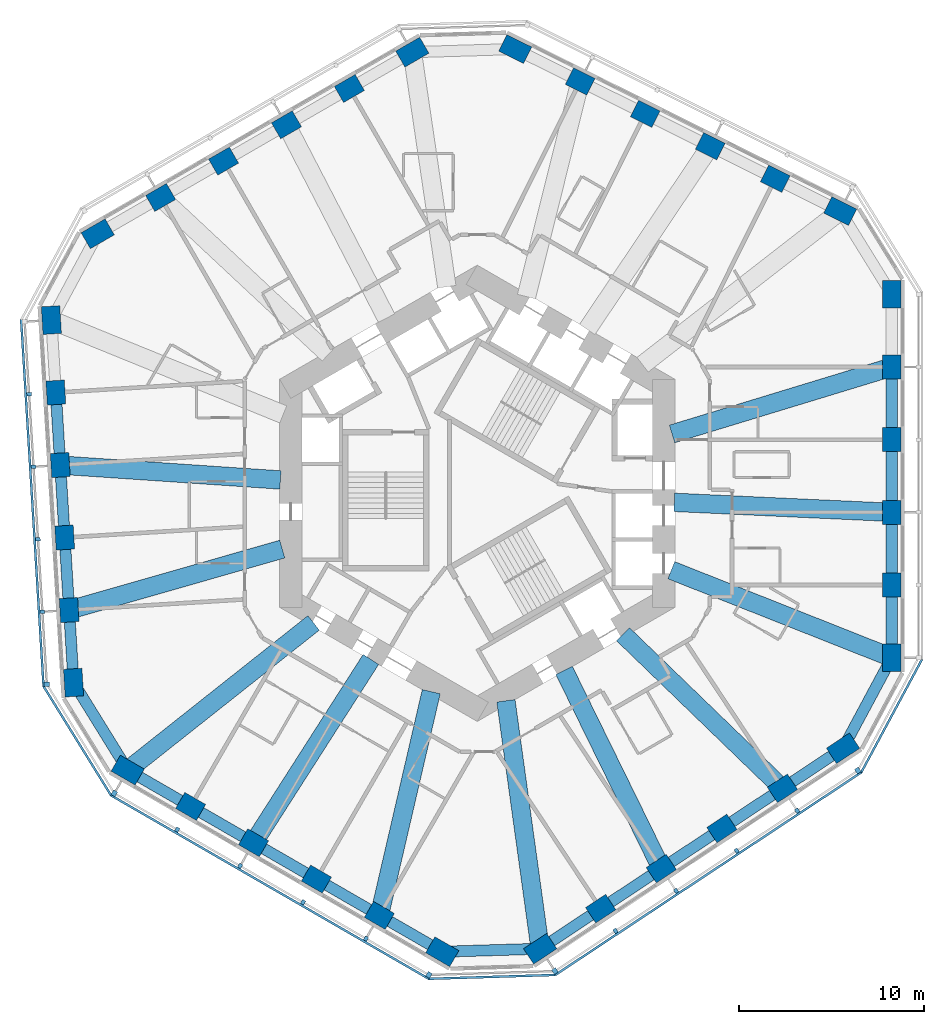
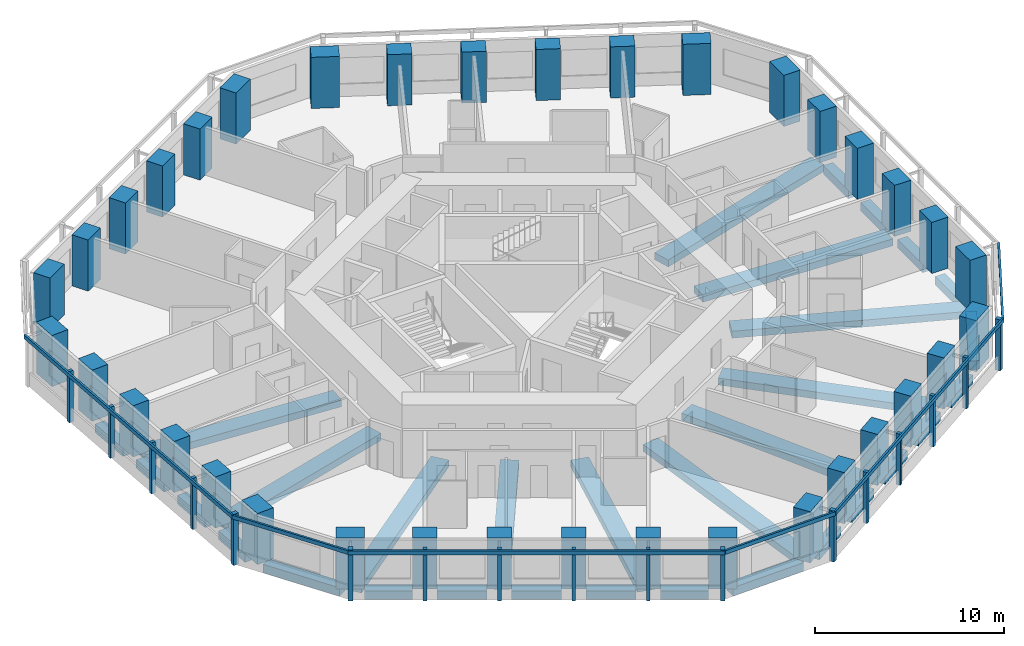
# One storey, part 1 of 12: 36 columns, 32 beams, 23 members, 6 elements without a shape of their own.
"""IFC4 building model written with IfcOpenShell, lengths in metres."""

from ifc_helpers import new_model, si_unit, direction, frame, origin, origin_2d, place, context, subcontext, project, spatial, rectangle, extrude, material, material_profile, profile_set, type_object, element, aggregate, save


model = new_model("IFC4")

# Units and contexts
model_context = context("Model", 3, precision=1e-05, world=origin(), true_north=direction((0.0, 1.0)))
body_context = subcontext(model_context, "Body", "Model", "MODEL_VIEW")
ifc_project = project(units=[si_unit("LENGTHUNIT", "METRE"), si_unit("AREAUNIT", "SQUARE_METRE"), si_unit("VOLUMEUNIT", "CUBIC_METRE"), si_unit("PLANEANGLEUNIT", "RADIAN"), si_unit("MASSUNIT", "GRAM", prefix="KILO")], contexts=[model_context])

# Site, building, storey
site_placement = place(None, origin())
site = spatial("IfcSite", under=ifc_project, at=site_placement, CompositionType="ELEMENT")
building_placement = place(site_placement, origin())
building = spatial("IfcBuilding", under=site, at=building_placement, Name="Vanh Sen Convention Tower", CompositionType="ELEMENT")
storey_placement = place(building_placement, frame((0.0, 0.0, 60.5)))
storey = spatial("IfcBuildingStorey", under=building, at=storey_placement, Name="L12", CompositionType="ELEMENT", Elevation=60.5)

# Columns
ifc_material_1 = material(Name="Concrete C80/95", Category="concrete")
ifc_material_profile_1 = material_profile(ifc_material_1, rectangle(XDim=1.300048828125, YDim=1.0, at=origin_2d()), Name="RC 1300X1000")
ifc_profile_set_1 = profile_set([ifc_material_profile_1], Name="Concrete C80/95")
column_type_1 = type_object("IfcColumnType", Name="Facade column 1300 x 1000 C80/95", PredefinedType="COLUMN", material=ifc_profile_set_1)
for number, where, z_axis, x_axis, name in (
    (1, (22.449951171875, -4.964599609375, 0.0), (0.0, 0.0, 1.0), (0.0, 1.0, 0.0), "Facade column 02 L12"),
    (2, (22.449951171875, -1.030029296875, 0.0), (0.0, 0.0, 1.0), (0.0, 1.0, 0.0), "Facade column 03 L12"),
    (3, (22.449951171875, 2.904541015625, 0.0), (0.0, 0.0, 1.0), (0.0, 1.0, 0.0), "Facade column 04 L12"),
    (4, (22.449951171875, 6.839111328125, 0.0), (0.0, 0.0, 1.0), (0.0, 1.0, 0.0), "Facade column 05 L12"),
    (5, (16.1376953125, 17.039794921875, 0.0), (0.0, 0.0, 1.0), (-0.894934361602, 0.44619781311, 0.0), "Facade column 08 L12"),
    (6, (12.616455078125, 18.79541015625, 0.0), (0.0, 0.0, 1.0), (-0.894934361602, 0.44619781311, 0.0), "Facade column 09 L12"),
    (7, (9.09521484375, 20.55078125, 0.0), (0.0, 0.0, 1.0), (-0.894934361602, 0.44619781311, 0.0), "Facade column 10 L12"),
    (8, (5.57421875, 22.306396484375, 0.0), (0.0, 0.0, 1.0), (-0.894934361602, 0.44619781311, 0.0), "Facade column 11 L12"),
    (9, (-6.925537109375, 21.924560546875, 0.0), (0.0, 0.0, 1.0), (-0.866025403784, -0.5, 0.0), "Facade column 14 L12"),
    (10, (-10.3330078125, 19.957275390625, 0.0), (0.0, 0.0, 1.0), (-0.866025403784, -0.5, 0.0), "Facade column 15 L12"),
    (11, (-13.740478515625, 17.989990234375, 0.0), (0.0, 0.0, 1.0), (-0.866025403784, -0.5, 0.0), "Facade column 16 L12"),
    (12, (-17.14794921875, 16.022705078125, 0.0), (0.0, 0.0, 1.0), (-0.866025403784, -0.5, 0.0), "Facade column 17 L12"),
    (13, (-22.82568359375, 5.455810546875, 0.0), (0.0, 0.0, 1.0), (0.061048539535, -0.998134798422, 0.0), "Facade column 20 L12"),
    (14, (-22.58544921875, 1.528564453125, 0.0), (0.0, 0.0, 1.0), (0.061048539535, -0.998134798422, 0.0), "Facade column 21 L12"),
    (15, (-22.34521484375, -2.398681640625, 0.0), (0.0, 0.0, 1.0), (0.061048539535, -0.998134798422, 0.0), "Facade column 22 L12"),
    (16, (-22.10498046875, -6.325927734375, 0.0), (0.0, 0.0, 1.0), (0.061048539535, -0.998134798422, 0.0), "Facade column 23 L12"),
    (17, (-15.5244140625, -16.9599609375, 0.0), (0.0, 0.0, 1.0), (0.866025403784, -0.5, 0.0), "Facade column 26 L12"),
    (18, (-12.1171875, -18.92724609375, 0.0), (0.0, 0.0, 1.0), (0.866025403784, -0.5, 0.0), "Facade column 27 L12"),
    (19, (-8.709716796875, -20.89453125, 0.0), (0.0, 0.0, 1.0), (0.866025403784, -0.5, 0.0), "Facade column 28 L12"),
    (20, (-5.302001953125, -22.86181640625, 0.0), (0.0, 0.0, 1.0), (0.866025403784, -0.5, 0.0), "Facade column 29 L12"),
    (21, (6.68798828125, -22.49560546875, 0.0), (0.0, 0.0, 1.0), (0.833885822067, 0.551936985312, 0.0), "Facade column 32 L12"),
    (22, (9.968994140625, -20.323974609375, 0.0), (0.0, 0.0, 1.0), (0.833885822067, 0.551936985312, 0.0), "Facade column 33 L12"),
    (23, (13.25, -18.152099609375, 0.0), (0.0, 0.0, 1.0), (0.833885822067, 0.551936985312, 0.0), "Facade column 34 L12"),
    (24, (16.531005859375, -15.980712890625, 0.0), (0.0, 0.0, 1.0), (0.833885822067, 0.551936985312, 0.0), "Facade column 35 L12"),
):
    element("IfcColumn", number, at=place(storey_placement, frame(where, z_axis=z_axis, x_axis=x_axis)), inside=storey, type_object=column_type_1, Name=name, PredefinedType="COLUMN", context=body_context, shape_type="SweptSolid", body=[
        extrude(rectangle(XDim=1.300048828125, YDim=1.0, at=origin_2d()), origin(), (0.0, 0.0, 1.0), 3.300048828125),
    ])
ifc_material_profile_2 = material_profile(ifc_material_1, rectangle(XDim=1.5, YDim=1.0, at=origin_2d()), Name="RC 1500X1000")
ifc_profile_set_2 = profile_set([ifc_material_profile_2], Name="Concrete C80/95")
column_type_2 = type_object("IfcColumnType", Name="Facade corner column 1500 x 1000 C80/95", PredefinedType="COLUMN", material=ifc_profile_set_2)
for number, where, z_axis, x_axis, name in (
    (25, (22.449951171875, -8.899169921875, 0.0), (0.0, 0.0, 1.0), (0.0, 1.0, 0.0), "Facade column 01 L12"),
    (26, (22.449951171875, 10.773681640625, 0.0), (0.0, 0.0, 1.0), (0.0, 1.0, 0.0), "Facade column 06 L12"),
    (27, (19.658935546875, 15.2841796875, 0.0), (0.0, 0.0, 1.0), (-0.894934361602, 0.44619781311, 0.0), "Facade column 07 L12"),
    (28, (2.052978515625, 24.06201171875, 0.0), (0.0, 0.0, 1.0), (-0.894934361602, 0.44619781311, 0.0), "Facade column 12 L12"),
    (29, (-3.51806640625, 23.891845703125, 0.0), (0.0, 0.0, 1.0), (-0.866025403784, -0.5, 0.0), "Facade column 13 L12"),
    (30, (-20.555419921875, 14.055419921875, 0.0), (0.0, 0.0, 1.0), (-0.866025403784, -0.5, 0.0), "Facade column 18 L12"),
    (31, (-23.06591796875, 9.383056640625, 0.0), (0.0, 0.0, 1.0), (0.061048539535, -0.998134798422, 0.0), "Facade column 19 L12"),
    (32, (-21.86474609375, -10.253173828125, 0.0), (0.0, 0.0, 1.0), (0.061048539535, -0.998134798422, 0.0), "Facade column 24 L12"),
    (33, (-18.931884765625, -14.99267578125, 0.0), (0.0, 0.0, 1.0), (0.866025403784, -0.5, 0.0), "Facade column 25 L12"),
    (34, (-1.894775390625, -24.8291015625, 0.0), (0.0, 0.0, 1.0), (0.866025403784, -0.5, 0.0), "Facade column 30 L12"),
    (35, (3.406982421875, -24.6669921875, 0.0), (0.0, 0.0, 1.0), (0.833885822067, 0.551936985312, 0.0), "Facade column 31 L12"),
    (36, (19.81201171875, -13.808837890625, 0.0), (0.0, 0.0, 1.0), (0.833885822067, 0.551936985312, 0.0), "Facade column 36 L12"),
):
    element("IfcColumn", number, at=place(storey_placement, frame(where, z_axis=z_axis, x_axis=x_axis)), inside=storey, type_object=column_type_2, Name=name, PredefinedType="COLUMN", context=body_context, shape_type="SweptSolid", body=[
        extrude(rectangle(XDim=1.5, YDim=1.0, at=origin_2d()), origin(), (0.0, 0.0, 1.0), 3.300048828125),
    ])

# Curtain wall, member
ifc_material_2 = material(Name="Concrete C50/60", Category="concrete")
curtain_wall_type = type_object("IfcCurtainWallType", Name="Outer skin hotel zone", PredefinedType="NOTDEFINED", material=ifc_material_2)
curtain_wall_1_placement = place(storey_placement, origin())
curtain_wall_1 = element("IfcCurtainWall", 37, at=curtain_wall_1_placement, inside=storey, type_object=curtain_wall_type, Name="OUTER SKIN W L12", PredefinedType="NOTDEFINED")
ifc_material_profile_3 = material_profile(ifc_material_2, rectangle(XDim=0.25, YDim=0.300048828125, at=origin_2d()), Name="Outer skin precast corner fin 250 x 300")
ifc_profile_set_3 = profile_set([ifc_material_profile_3], Name="Concrete C50/60")
member_type_1 = type_object("IfcMemberType", Name="Outer skin precast corner fin 250 x 300", PredefinedType="MULLION", material=ifc_profile_set_3)
member_1_placement = place(storey_placement, frame((-23.31201171875, -10.341796875, 0.0), z_axis=(0.0, 0.0, 1.0), x_axis=(0.061048539535, -0.998134798422, 0.0)))
member_1 = element("IfcMember", 38, at=member_1_placement, type_object=member_type_1, Name="OUTER SKIN CORNER FIN 6 W L12", PredefinedType="MULLION", context=body_context, shape_type="SweptSolid", body=[
    extrude(rectangle(XDim=0.25, YDim=0.300048828125, at=origin_2d()), origin(), (0.0, 0.0, 1.0), 3.300048828125),
])

# Curtain wall, members
curtain_wall_2_placement = place(storey_placement, origin())
curtain_wall_2 = element("IfcCurtainWall", 39, at=curtain_wall_2_placement, inside=storey, type_object=curtain_wall_type, Name="OUTER SKIN SW L12", PredefinedType="NOTDEFINED")
member_2_placement = place(storey_placement, frame((-19.656982421875, -16.248291015625, 0.0), z_axis=(0.0, 0.0, 1.0), x_axis=(0.866025403784, -0.5, 0.0)))
member_2 = element("IfcMember", 40, at=member_2_placement, type_object=member_type_1, Name="OUTER SKIN CORNER FIN 1 SW L12", PredefinedType="MULLION", context=body_context, shape_type="SweptSolid", body=[
    extrude(rectangle(XDim=0.25, YDim=0.300048828125, at=origin_2d()), origin(), (0.0, 0.0, 1.0), 3.300048828125),
])
member_3_placement = place(storey_placement, frame((-2.61962890625, -26.084716796875, 0.0), z_axis=(0.0, 0.0, 1.0), x_axis=(0.866025403784, -0.5, 0.0)))
member_3 = element("IfcMember", 41, at=member_3_placement, type_object=member_type_1, Name="OUTER SKIN CORNER FIN 6 SW L12", PredefinedType="MULLION", context=body_context, shape_type="SweptSolid", body=[
    extrude(rectangle(XDim=0.25, YDim=0.300048828125, at=origin_2d()), origin(), (0.0, 0.0, 1.0), 3.300048828125),
])

curtain_wall_3_placement = place(storey_placement, origin())
curtain_wall_3 = element("IfcCurtainWall", 42, at=curtain_wall_3_placement, inside=storey, type_object=curtain_wall_type, Name="OUTER SKIN SE L12", PredefinedType="NOTDEFINED")
member_4_placement = place(storey_placement, frame((4.207275390625, -25.876220703125, 0.0), z_axis=(0.0, 0.0, 1.0), x_axis=(0.833885822067, 0.551936985312, 0.0)))
member_4 = element("IfcMember", 43, at=member_4_placement, type_object=member_type_1, Name="OUTER SKIN CORNER FIN 1 SE L12", PredefinedType="MULLION", context=body_context, shape_type="SweptSolid", body=[
    extrude(rectangle(XDim=0.25, YDim=0.300048828125, at=origin_2d()), origin(), (0.0, 0.0, 1.0), 3.300048828125),
])
member_5_placement = place(storey_placement, frame((20.6123046875, -15.01806640625, 0.0), z_axis=(0.0, 0.0, 1.0), x_axis=(0.833885822067, 0.551936985312, 0.0)))
member_5 = element("IfcMember", 44, at=member_5_placement, type_object=member_type_1, Name="OUTER SKIN CORNER FIN 6 SE L12", PredefinedType="MULLION", context=body_context, shape_type="SweptSolid", body=[
    extrude(rectangle(XDim=0.25, YDim=0.300048828125, at=origin_2d()), origin(), (0.0, 0.0, 1.0), 3.300048828125),
])

# Member
ifc_material_profile_4 = material_profile(ifc_material_2, rectangle(XDim=0.199951171875, YDim=0.25, at=origin_2d()), Name="Outer skin precast fin 200 x 250")
ifc_profile_set_4 = profile_set([ifc_material_profile_4], Name="Concrete C50/60")
member_type_2 = type_object("IfcMemberType", Name="Outer skin precast fin 200 x 250", PredefinedType="MULLION", material=ifc_profile_set_4)
member_6_placement = place(storey_placement, frame((-24.27294921875, 5.3671875, 0.0), z_axis=(0.0, 0.0, 1.0), x_axis=(0.061048539535, -0.998134798422, 0.0)))
member_6 = element("IfcMember", 45, at=member_6_placement, type_object=member_type_2, Name="OUTER SKIN fin 2 W L12", PredefinedType="MULLION", context=body_context, shape_type="SweptSolid", body=[
    extrude(rectangle(XDim=0.199951171875, YDim=0.25, at=origin_2d()), origin(), (0.0, 0.0, 1.0), 3.300048828125),
])

member_7_placement = place(storey_placement, frame((-24.03271484375, 1.440185546875, 0.0), z_axis=(0.0, 0.0, 1.0), x_axis=(0.061048539535, -0.998134798422, 0.0)))
member_7 = element("IfcMember", 46, at=member_7_placement, type_object=member_type_2, Name="OUTER SKIN fin 3 W L12", PredefinedType="MULLION", context=body_context, shape_type="SweptSolid", body=[
    extrude(rectangle(XDim=0.199951171875, YDim=0.25, at=origin_2d()), origin(), (0.0, 0.0, 1.0), 3.300048828125),
])

member_8_placement = place(storey_placement, frame((-23.79248046875, -2.4873046875, 0.0), z_axis=(0.0, 0.0, 1.0), x_axis=(0.061048539535, -0.998134798422, 0.0)))
member_8 = element("IfcMember", 47, at=member_8_placement, type_object=member_type_2, Name="OUTER SKIN fin 4 W L12", PredefinedType="MULLION", context=body_context, shape_type="SweptSolid", body=[
    extrude(rectangle(XDim=0.199951171875, YDim=0.25, at=origin_2d()), origin(), (0.0, 0.0, 1.0), 3.300048828125),
])

member_9_placement = place(storey_placement, frame((-23.55224609375, -6.414306640625, 0.0), z_axis=(0.0, 0.0, 1.0), x_axis=(0.061048539535, -0.998134798422, 0.0)))
member_9 = element("IfcMember", 48, at=member_9_placement, type_object=member_type_2, Name="OUTER SKIN fin 5 W L12", PredefinedType="MULLION", context=body_context, shape_type="SweptSolid", body=[
    extrude(rectangle(XDim=0.199951171875, YDim=0.25, at=origin_2d()), origin(), (0.0, 0.0, 1.0), 3.300048828125),
])

member_10_placement = place(storey_placement, frame((-16.24951171875, -18.2158203125, 0.0), z_axis=(0.0, 0.0, 1.0), x_axis=(0.866025403784, -0.5, 0.0)))
member_10 = element("IfcMember", 49, at=member_10_placement, type_object=member_type_2, Name="OUTER SKIN fin 2 SW L12", PredefinedType="MULLION", context=body_context, shape_type="SweptSolid", body=[
    extrude(rectangle(XDim=0.199951171875, YDim=0.25, at=origin_2d()), origin(), (0.0, 0.0, 1.0), 3.300048828125),
])

member_11_placement = place(storey_placement, frame((-12.842041015625, -20.182861328125, 0.0), z_axis=(0.0, 0.0, 1.0), x_axis=(0.866025403784, -0.5, 0.0)))
member_11 = element("IfcMember", 50, at=member_11_placement, type_object=member_type_2, Name="OUTER SKIN fin 3 SW L12", PredefinedType="MULLION", context=body_context, shape_type="SweptSolid", body=[
    extrude(rectangle(XDim=0.199951171875, YDim=0.25, at=origin_2d()), origin(), (0.0, 0.0, 1.0), 3.300048828125),
])

member_12_placement = place(storey_placement, frame((-9.4345703125, -22.150146484375, 0.0), z_axis=(0.0, 0.0, 1.0), x_axis=(0.866025403784, -0.5, 0.0)))
member_12 = element("IfcMember", 51, at=member_12_placement, type_object=member_type_2, Name="OUTER SKIN fin 4 SW L12", PredefinedType="MULLION", context=body_context, shape_type="SweptSolid", body=[
    extrude(rectangle(XDim=0.199951171875, YDim=0.25, at=origin_2d()), origin(), (0.0, 0.0, 1.0), 3.300048828125),
])

member_13_placement = place(storey_placement, frame((-6.027099609375, -24.117431640625, 0.0), z_axis=(0.0, 0.0, 1.0), x_axis=(0.866025403784, -0.5, 0.0)))
member_13 = element("IfcMember", 52, at=member_13_placement, type_object=member_type_2, Name="OUTER SKIN fin 5 SW L12", PredefinedType="MULLION", context=body_context, shape_type="SweptSolid", body=[
    extrude(rectangle(XDim=0.199951171875, YDim=0.25, at=origin_2d()), origin(), (0.0, 0.0, 1.0), 3.300048828125),
])

member_14_placement = place(storey_placement, frame((7.48828125, -23.70458984375, 0.0), z_axis=(0.0, 0.0, 1.0), x_axis=(0.833885822067, 0.551936985312, 0.0)))
member_14 = element("IfcMember", 53, at=member_14_placement, type_object=member_type_2, Name="OUTER SKIN fin 2 SE L12", PredefinedType="MULLION", context=body_context, shape_type="SweptSolid", body=[
    extrude(rectangle(XDim=0.199951171875, YDim=0.25, at=origin_2d()), origin(), (0.0, 0.0, 1.0), 3.300048828125),
])

member_15_placement = place(storey_placement, frame((10.769287109375, -21.532958984375, 0.0), z_axis=(0.0, 0.0, 1.0), x_axis=(0.833885822067, 0.551936985312, 0.0)))
member_15 = element("IfcMember", 54, at=member_15_placement, type_object=member_type_2, Name="OUTER SKIN fin 3 SE L12", PredefinedType="MULLION", context=body_context, shape_type="SweptSolid", body=[
    extrude(rectangle(XDim=0.199951171875, YDim=0.25, at=origin_2d()), origin(), (0.0, 0.0, 1.0), 3.300048828125),
])

member_16_placement = place(storey_placement, frame((14.05029296875, -19.361328125, 0.0), z_axis=(0.0, 0.0, 1.0), x_axis=(0.833885822067, 0.551936985312, 0.0)))
member_16 = element("IfcMember", 55, at=member_16_placement, type_object=member_type_2, Name="OUTER SKIN fin 4 SE L12", PredefinedType="MULLION", context=body_context, shape_type="SweptSolid", body=[
    extrude(rectangle(XDim=0.199951171875, YDim=0.25, at=origin_2d()), origin(), (0.0, 0.0, 1.0), 3.300048828125),
])

member_17_placement = place(storey_placement, frame((17.331298828125, -17.189697265625, 0.0), z_axis=(0.0, 0.0, 1.0), x_axis=(0.833885822067, 0.551936985312, 0.0)))
member_17 = element("IfcMember", 56, at=member_17_placement, type_object=member_type_2, Name="OUTER SKIN fin 5 SE L12", PredefinedType="MULLION", context=body_context, shape_type="SweptSolid", body=[
    extrude(rectangle(XDim=0.199951171875, YDim=0.25, at=origin_2d()), origin(), (0.0, 0.0, 1.0), 3.300048828125),
])

ifc_material_profile_5 = material_profile(ifc_material_2, rectangle(XDim=0.1201171875, YDim=0.25, at=origin_2d()), Name="Outer skin precast spandrel band 250 x 120")
ifc_profile_set_5 = profile_set([ifc_material_profile_5], Name="Concrete C50/60")
member_type_3 = type_object("IfcMemberType", Name="Outer skin precast spandrel band 250 x 120", PredefinedType="USERDEFINED", material=ifc_profile_set_5)
member_18_placement = place(storey_placement, frame((-24.705322265625, 9.408203125, 3.175048828125), z_axis=(0.061050017989, -0.998134707995, 0.0), x_axis=(0.998134707995, 0.061050017989, 0.0)))
member_18 = element("IfcMember", 57, at=member_18_placement, type_object=member_type_3, Name="OUTER SKIN spandrel band W L12", ObjectType="TRANSOM", PredefinedType="USERDEFINED", context=body_context, shape_type="SweptSolid", body=[
    extrude(rectangle(XDim=0.1201171875, YDim=0.25, at=origin_2d()), origin(), (0.0, 0.0, 1.0), 19.923095703125),
])

aggregate(curtain_wall_1, [member_6, member_7, member_8, member_9, member_1, member_18])

# Curtain wall, member
curtain_wall_4_placement = place(storey_placement, origin())
curtain_wall_4 = element("IfcCurtainWall", 58, at=curtain_wall_4_placement, inside=storey, type_object=curtain_wall_type, Name="OUTER SKIN CH4 L12", PredefinedType="NOTDEFINED")
member_19_placement = place(storey_placement, frame((-23.49072265625, -10.4521484375, 3.175048828125), z_axis=(0.526196095141, -0.850363257354, 0.0), x_axis=(0.850363257354, 0.526196095141, 0.0)))
member_19 = element("IfcMember", 59, at=member_19_placement, type_object=member_type_3, Name="OUTER SKIN spandrel band CH4 L12", ObjectType="TRANSOM", PredefinedType="USERDEFINED", context=body_context, shape_type="SweptSolid", body=[
    extrude(rectangle(XDim=0.1201171875, YDim=0.25, at=origin_2d()), origin(), (0.0, 0.0, 1.0), 6.946044921875),
])
aggregate(curtain_wall_4, [member_19])

# Member
member_20_placement = place(storey_placement, frame((-19.85791015625, -16.34619140625, 3.175048828125), z_axis=(0.866028047459, -0.499995420993, 0.0), x_axis=(0.499995420993, 0.866028047459, 0.0)))
member_20 = element("IfcMember", 60, at=member_20_placement, type_object=member_type_3, Name="OUTER SKIN spandrel band SW L12", ObjectType="TRANSOM", PredefinedType="USERDEFINED", context=body_context, shape_type="SweptSolid", body=[
    extrude(rectangle(XDim=0.1201171875, YDim=0.25, at=origin_2d()), origin(), (0.0, 0.0, 1.0), 19.923095703125),
])

aggregate(curtain_wall_2, [member_2, member_10, member_11, member_12, member_13, member_3, member_20])

# Curtain wall, member
curtain_wall_5_placement = place(storey_placement, origin())
curtain_wall_5 = element("IfcCurtainWall", 61, at=curtain_wall_5_placement, inside=storey, type_object=curtain_wall_type, Name="OUTER SKIN CH5 L12", PredefinedType="NOTDEFINED")
member_21_placement = place(storey_placement, frame((-2.61328125, -26.294677734375, 3.175048828125), z_axis=(0.99953396928, 0.030526124156, 0.0), x_axis=(-0.030526124156, 0.99953396928, 0.0)))
member_21 = element("IfcMember", 62, at=member_21_placement, type_object=member_type_3, Name="OUTER SKIN spandrel band CH5 L12", ObjectType="TRANSOM", PredefinedType="USERDEFINED", context=body_context, shape_type="SweptSolid", body=[
    extrude(rectangle(XDim=0.1201171875, YDim=0.25, at=origin_2d()), origin(), (0.0, 0.0, 1.0), 6.830078125),
])
aggregate(curtain_wall_5, [member_21])

# Member
member_22_placement = place(storey_placement, frame((4.205078125, -26.099609375, 3.175048828125), z_axis=(0.833883851182, 0.551939962984, 0.0), x_axis=(-0.551939962984, 0.833883851182, 0.0)))
member_22 = element("IfcMember", 63, at=member_22_placement, type_object=member_type_3, Name="OUTER SKIN spandrel band SE L12", ObjectType="TRANSOM", PredefinedType="USERDEFINED", context=body_context, shape_type="SweptSolid", body=[
    extrude(rectangle(XDim=0.1201171875, YDim=0.25, at=origin_2d()), origin(), (0.0, 0.0, 1.0), 19.923095703125),
])

aggregate(curtain_wall_3, [member_4, member_14, member_15, member_16, member_17, member_5, member_22])

# Curtain wall, member
curtain_wall_6_placement = place(storey_placement, origin())
curtain_wall_6 = element("IfcCurtainWall", 64, at=curtain_wall_6_placement, inside=storey, type_object=curtain_wall_type, Name="OUTER SKIN CH6 L12", PredefinedType="NOTDEFINED")
member_23_placement = place(storey_placement, frame((20.797119140625, -15.117431640625, 3.175048828125), z_axis=(0.473324148816, 0.880888330123, 0.0), x_axis=(-0.880888330123, 0.473324148816, 0.0)))
member_23 = element("IfcMember", 65, at=member_23_placement, type_object=member_type_3, Name="OUTER SKIN spandrel band CH6 L12", ObjectType="TRANSOM", PredefinedType="USERDEFINED", context=body_context, shape_type="SweptSolid", body=[
    extrude(rectangle(XDim=0.1201171875, YDim=0.25, at=origin_2d()), origin(), (0.0, 0.0, 1.0), 6.9462890625),
])
aggregate(curtain_wall_6, [member_23])

# Beams
ifc_material_3 = material(Name="Concrete C50/60", Category="concrete")
ifc_material_profile_6 = material_profile(ifc_material_3, rectangle(XDim=1.0, YDim=0.449951171875, at=origin_2d()), Name="RC 1000X450")
ifc_profile_set_6 = profile_set([ifc_material_profile_6], Name="Concrete C50/60")
beam_type_1 = type_object("IfcBeamType", Name="Radial floor beam 1000 x 450", PredefinedType="BEAM", material=ifc_profile_set_6)
beam_1_placement = place(storey_placement, frame((22.138916015625, -8.77587890625, -0.47509765625), z_axis=(-0.929624483463, 0.368508235655, 0.0), x_axis=(-0.368508235655, -0.929624483463, 0.0)))
element("IfcBeam", 66, at=beam_1_placement, inside=storey, type_object=beam_type_1, Name="Radial beam 01 L12", PredefinedType="BEAM", context=body_context, shape_type="SweptSolid", body=[
    extrude(rectangle(XDim=1.0, YDim=0.449951171875, at=origin_2d()), origin(), (0.0, 0.0, 1.0), 12.50830078125),
])
beam_2_placement = place(storey_placement, frame((21.977783203125, -1.00830078125, -0.47509765625), z_axis=(-0.998949774884, 0.045818634401, 0.0), x_axis=(-0.045818634401, -0.998949774884, 0.0)))
element("IfcBeam", 67, at=beam_2_placement, inside=storey, type_object=beam_type_1, Name="Radial beam 02 L12", PredefinedType="BEAM", context=body_context, shape_type="SweptSolid", body=[
    extrude(rectangle(XDim=1.0, YDim=0.449951171875, at=origin_2d()), origin(), (0.0, 0.0, 1.0), 11.317626953125),
])
beam_3_placement = place(storey_placement, frame((22.1005859375, 6.732666015625, -0.47509765625), z_axis=(-0.95659843119, -0.291409405211, 0.0), x_axis=(0.291409405211, -0.95659843119, 0.0)))
element("IfcBeam", 68, at=beam_3_placement, inside=storey, type_object=beam_type_1, Name="Radial beam 03 L12", PredefinedType="BEAM", context=body_context, shape_type="SweptSolid", body=[
    extrude(rectangle(XDim=1.0, YDim=0.449951171875, at=origin_2d()), origin(), (0.0, 0.0, 1.0), 12.0751953125),
])
beam_4_placement = place(storey_placement, frame((-22.15185546875, 1.499267578125, -0.47509765625), z_axis=(0.997718156648, -0.067516515721, 0.0), x_axis=(0.067516515721, 0.997718156648, 0.0)))
element("IfcBeam", 69, at=beam_4_placement, inside=storey, type_object=beam_type_1, Name="Radial beam 11 L12", PredefinedType="BEAM", context=body_context, shape_type="SweptSolid", body=[
    extrude(rectangle(XDim=1.0, YDim=0.449951171875, at=origin_2d()), origin(), (0.0, 0.0, 1.0), 11.51708984375),
])
beam_5_placement = place(storey_placement, frame((-21.723876953125, -6.216796875, -0.47509765625), z_axis=(0.961405669021, 0.275134766203, 0.0), x_axis=(-0.275134766203, 0.961405669021, 0.0)))
element("IfcBeam", 70, at=beam_5_placement, inside=storey, type_object=beam_type_1, Name="Radial beam 12 L12", PredefinedType="BEAM", context=body_context, shape_type="SweptSolid", body=[
    extrude(rectangle(XDim=1.0, YDim=0.449951171875, at=origin_2d()), origin(), (0.0, 0.0, 1.0), 11.614501953125),
])
beam_6_placement = place(storey_placement, frame((-18.669677734375, -14.784912109375, -0.47509765625), z_axis=(0.783946075621, 0.620828922102, 0.0), x_axis=(-0.620828922102, 0.783946075621, 0.0)))
element("IfcBeam", 71, at=beam_6_placement, inside=storey, type_object=beam_type_1, Name="Radial beam 13 L12", PredefinedType="BEAM", context=body_context, shape_type="SweptSolid", body=[
    extrude(rectangle(XDim=1.0, YDim=0.449951171875, at=origin_2d()), origin(), (0.0, 0.0, 1.0), 12.508056640625),
])
beam_7_placement = place(storey_placement, frame((-11.8623046875, -18.529296875, -0.47509765625), z_axis=(0.539168157523, 0.842198134594, 0.0), x_axis=(-0.842198134594, 0.539168157523, 0.0)))
element("IfcBeam", 72, at=beam_7_placement, inside=storey, type_object=beam_type_1, Name="Radial beam 14 L12", PredefinedType="BEAM", context=body_context, shape_type="SweptSolid", body=[
    extrude(rectangle(XDim=1.0, YDim=0.449951171875, at=origin_2d()), origin(), (0.0, 0.0, 1.0), 11.31787109375),
])
beam_8_placement = place(storey_placement, frame((-5.219482421875, -22.505859375, -0.47509765625), z_axis=(0.225921069531, 0.974145610441, 0.0), x_axis=(-0.974145610441, 0.225921069531, 0.0)))
element("IfcBeam", 73, at=beam_8_placement, inside=storey, type_object=beam_type_1, Name="Radial beam 15 L12", PredefinedType="BEAM", context=body_context, shape_type="SweptSolid", body=[
    extrude(rectangle(XDim=1.0, YDim=0.449951171875, at=origin_2d()), origin(), (0.0, 0.0, 1.0), 12.0751953125),
])
beam_9_placement = place(storey_placement, frame((3.364501953125, -24.3603515625, -0.47509765625), z_axis=(-0.136807007089, 0.990597719971, 0.0), x_axis=(-0.990597719971, -0.136807007089, 0.0)))
element("IfcBeam", 74, at=beam_9_placement, inside=storey, type_object=beam_type_1, Name="Radial beam 16 L12", PredefinedType="BEAM", context=body_context, shape_type="SweptSolid", body=[
    extrude(rectangle(XDim=1.0, YDim=0.449951171875, at=origin_2d()), origin(), (0.0, 0.0, 1.0), 13.24853515625),
])
beam_10_placement = place(storey_placement, frame((9.777587890625, -19.933837890625, -0.47509765625), z_axis=(-0.440374700847, 0.897814080339, 0.0), x_axis=(-0.897814080339, -0.440374700847, 0.0)))
element("IfcBeam", 75, at=beam_10_placement, inside=storey, type_object=beam_type_1, Name="Radial beam 17 L12", PredefinedType="BEAM", context=body_context, shape_type="SweptSolid", body=[
    extrude(rectangle(XDim=1.0, YDim=0.449951171875, at=origin_2d()), origin(), (0.0, 0.0, 1.0), 11.516845703125),
])
beam_11_placement = place(storey_placement, frame((16.245849609375, -15.705078125, -0.47509765625), z_axis=(-0.718976471313, 0.695034411881, 0.0), x_axis=(-0.695034411881, -0.718976471313, 0.0)))
element("IfcBeam", 76, at=beam_11_placement, inside=storey, type_object=beam_type_1, Name="Radial beam 18 L12", PredefinedType="BEAM", context=body_context, shape_type="SweptSolid", body=[
    extrude(rectangle(XDim=1.0, YDim=0.449951171875, at=origin_2d()), origin(), (0.0, 0.0, 1.0), 11.614501953125),
])
ifc_material_profile_7 = material_profile(ifc_material_3, rectangle(XDim=0.60009765625, YDim=0.550048828125, at=origin_2d()), Name="RC 600X550")
ifc_profile_set_7 = profile_set([ifc_material_profile_7], Name="Concrete C50/60")
beam_type_2 = type_object("IfcBeamType", Name="Spandrel beam 600 x 550", PredefinedType="SPANDREL", material=ifc_profile_set_7)
beam_12_placement = place(storey_placement, frame((22.449951171875, -8.154296875, -0.52490234375), z_axis=(0.0, 1.0, 0.0), x_axis=(-1.0, 0.0, 0.0)))
element("IfcBeam", 77, at=beam_12_placement, inside=storey, type_object=beam_type_2, Name="Spandrel beam 01 L12", PredefinedType="SPANDREL", context=body_context, shape_type="SweptSolid", body=[
    extrude(rectangle(XDim=0.60009765625, YDim=0.550048828125, at=origin_2d()), origin(), (0.0, 0.0, 1.0), 2.544677734375),
])
for number, where, z_axis, x_axis, name in (
    (78, (22.449951171875, -4.319580078125, -0.52490234375), (0.0, 1.0, 0.0), (-1.0, 0.0, 0.0), "Spandrel beam 02 L12"),
    (79, (22.449951171875, -0.385009765625, -0.52490234375), (0.0, 1.0, 0.0), (-1.0, 0.0, 0.0), "Spandrel beam 03 L12"),
    (80, (22.449951171875, 3.549560546875, -0.52490234375), (0.0, 1.0, 0.0), (-1.0, 0.0, 0.0), "Spandrel beam 04 L12"),
    (81, (-22.7861328125, 4.81201171875, -0.52490234375), (0.061021844318, -0.998136430813, 0.0), (0.998136430813, 0.061021844318, 0.0), "Spandrel beam 20 L12"),
    (82, (-22.5458984375, 0.884765625, -0.52490234375), (0.061021844318, -0.998136430813, 0.0), (0.998136430813, 0.061021844318, 0.0), "Spandrel beam 21 L12"),
    (83, (-22.305908203125, -3.04248046875, -0.52490234375), (0.061113817246, -0.998130803723, 0.0), (0.998130803723, 0.061113817246, 0.0), "Spandrel beam 22 L12"),
):
    element("IfcBeam", number, at=place(storey_placement, frame(where, z_axis=z_axis, x_axis=x_axis)), inside=storey, type_object=beam_type_2, Name=name, PredefinedType="SPANDREL", context=body_context, shape_type="SweptSolid", body=[
        extrude(rectangle(XDim=0.60009765625, YDim=0.550048828125, at=origin_2d()), origin(), (0.0, 0.0, 1.0), 2.64453125),
    ])
beam_13_placement = place(storey_placement, frame((-22.065673828125, -6.9697265625, -0.52490234375), z_axis=(0.061022277531, -0.998136404328, 0.0), x_axis=(0.998136404328, 0.061022277531, 0.0)))
element("IfcBeam", 84, at=beam_13_placement, inside=storey, type_object=beam_type_2, Name="Spandrel beam 23 L12", PredefinedType="SPANDREL", context=body_context, shape_type="SweptSolid", body=[
    extrude(rectangle(XDim=0.60009765625, YDim=0.550048828125, at=origin_2d()), origin(), (0.0, 0.0, 1.0), 2.54443359375),
])
beam_14_placement = place(storey_placement, frame((-21.605224609375, -10.672607421875, -0.52490234375), z_axis=(0.526195204359, -0.850363808561, 0.0), x_axis=(0.850363808561, 0.526195204359, 0.0)))
element("IfcBeam", 85, at=beam_14_placement, inside=storey, type_object=beam_type_2, Name="Spandrel beam 24 L12", PredefinedType="SPANDREL", context=body_context, shape_type="SweptSolid", body=[
    extrude(rectangle(XDim=0.60009765625, YDim=0.550048828125, at=origin_2d()), origin(), (0.0, 0.0, 1.0), 4.58740234375),
])
beam_15_placement = place(storey_placement, frame((-18.286865234375, -15.365234375, -0.52490234375), z_axis=(0.866056180903, -0.499946688677, 0.0), x_axis=(0.499946688677, 0.866056180903, 0.0)))
element("IfcBeam", 86, at=beam_15_placement, inside=storey, type_object=beam_type_2, Name="Spandrel beam 25 L12", PredefinedType="SPANDREL", context=body_context, shape_type="SweptSolid", body=[
    extrude(rectangle(XDim=0.60009765625, YDim=0.550048828125, at=origin_2d()), origin(), (0.0, 0.0, 1.0), 2.544677734375),
])
beam_16_placement = place(storey_placement, frame((-14.9658203125, -17.282470703125, -0.52490234375), z_axis=(0.866007234284, -0.500031469177, 0.0), x_axis=(0.500031469177, 0.866007234284, 0.0)))
element("IfcBeam", 87, at=beam_16_placement, inside=storey, type_object=beam_type_2, Name="Spandrel beam 26 L12", PredefinedType="SPANDREL", context=body_context, shape_type="SweptSolid", body=[
    extrude(rectangle(XDim=0.60009765625, YDim=0.550048828125, at=origin_2d()), origin(), (0.0, 0.0, 1.0), 2.644287109375),
])
for number, where, z_axis, x_axis, name in (
    (88, (-11.55859375, -19.249755859375, -0.52490234375), (0.866030315638, -0.499991492324, 0.0), (0.499991492324, 0.866030315638, 0.0), "Spandrel beam 27 L12"),
    (89, (-8.15087890625, -21.217041015625, -0.52490234375), (0.866030315638, -0.499991492324, 0.0), (0.499991492324, 0.866030315638, 0.0), "Spandrel beam 28 L12"),
):
    element("IfcBeam", number, at=place(storey_placement, frame(where, z_axis=z_axis, x_axis=x_axis)), inside=storey, type_object=beam_type_2, Name=name, PredefinedType="SPANDREL", context=body_context, shape_type="SweptSolid", body=[
        extrude(rectangle(XDim=0.60009765625, YDim=0.550048828125, at=origin_2d()), origin(), (0.0, 0.0, 1.0), 2.64453125),
    ])
beam_17_placement = place(storey_placement, frame((-4.743408203125, -23.184326171875, -0.52490234375), z_axis=(0.866032197868, -0.499988232117, 0.0), x_axis=(0.499988232117, 0.866032197868, 0.0)))
element("IfcBeam", 90, at=beam_17_placement, inside=storey, type_object=beam_type_2, Name="Spandrel beam 29 L12", PredefinedType="SPANDREL", context=body_context, shape_type="SweptSolid", body=[
    extrude(rectangle(XDim=0.60009765625, YDim=0.550048828125, at=origin_2d()), origin(), (0.0, 0.0, 1.0), 2.54443359375),
])
beam_18_placement = place(storey_placement, frame((-1.4345703125, -24.81494140625, -0.52490234375), z_axis=(0.999534100542, 0.030521825872, 0.0), x_axis=(-0.030521825872, 0.999534100542, 0.0)))
element("IfcBeam", 91, at=beam_18_placement, inside=storey, type_object=beam_type_2, Name="Spandrel beam 30 L12", PredefinedType="SPANDREL", context=body_context, shape_type="SweptSolid", body=[
    extrude(rectangle(XDim=0.60009765625, YDim=0.550048828125, at=origin_2d()), origin(), (0.0, 0.0, 1.0), 4.38330078125),
])
beam_19_placement = place(storey_placement, frame((4.028076171875, -24.255859375, -0.52490234375), z_axis=(0.833905579906, 0.551907133313, 0.0), x_axis=(-0.551907133313, 0.833905579906, 0.0)))
element("IfcBeam", 92, at=beam_19_placement, inside=storey, type_object=beam_type_2, Name="Spandrel beam 31 L12", PredefinedType="SPANDREL", context=body_context, shape_type="SweptSolid", body=[
    extrude(rectangle(XDim=0.60009765625, YDim=0.550048828125, at=origin_2d()), origin(), (0.0, 0.0, 1.0), 2.54443359375),
])
beam_20_placement = place(storey_placement, frame((7.225830078125, -22.139404296875, -0.52490234375), z_axis=(0.833892212548, 0.551927330227, 0.0), x_axis=(-0.551927330227, 0.833892212548, 0.0)))
element("IfcBeam", 93, at=beam_20_placement, inside=storey, type_object=beam_type_2, Name="Spandrel beam 32 L12", PredefinedType="SPANDREL", context=body_context, shape_type="SweptSolid", body=[
    extrude(rectangle(XDim=0.60009765625, YDim=0.550048828125, at=origin_2d()), origin(), (0.0, 0.0, 1.0), 2.644287109375),
])
beam_21_placement = place(storey_placement, frame((10.5068359375, -19.968017578125, -0.52490234375), z_axis=(0.833849719202, 0.551991526916, 0.0), x_axis=(-0.551991526916, 0.833849719202, 0.0)))
element("IfcBeam", 94, at=beam_21_placement, inside=storey, type_object=beam_type_2, Name="Spandrel beam 33 L12", PredefinedType="SPANDREL", context=body_context, shape_type="SweptSolid", body=[
    extrude(rectangle(XDim=0.60009765625, YDim=0.550048828125, at=origin_2d()), origin(), (0.0, 0.0, 1.0), 2.64453125),
])
beam_22_placement = place(storey_placement, frame((13.787841796875, -17.796142578125, -0.52490234375), z_axis=(0.833892212548, 0.551927330227, 0.0), x_axis=(-0.551927330227, 0.833892212548, 0.0)))
element("IfcBeam", 95, at=beam_22_placement, inside=storey, type_object=beam_type_2, Name="Spandrel beam 34 L12", PredefinedType="SPANDREL", context=body_context, shape_type="SweptSolid", body=[
    extrude(rectangle(XDim=0.60009765625, YDim=0.550048828125, at=origin_2d()), origin(), (0.0, 0.0, 1.0), 2.644287109375),
])
beam_23_placement = place(storey_placement, frame((17.06884765625, -15.62451171875, -0.52490234375), z_axis=(0.833905579906, 0.551907133313, 0.0), x_axis=(-0.551907133313, 0.833905579906, 0.0)))
element("IfcBeam", 96, at=beam_23_placement, inside=storey, type_object=beam_type_2, Name="Spandrel beam 35 L12", PredefinedType="SPANDREL", context=body_context, shape_type="SweptSolid", body=[
    extrude(rectangle(XDim=0.60009765625, YDim=0.550048828125, at=origin_2d()), origin(), (0.0, 0.0, 1.0), 2.54443359375),
])
beam_24_placement = place(storey_placement, frame((20.04541015625, -13.37451171875, -0.52490234375), z_axis=(0.473290328657, 0.880906501735, 0.0), x_axis=(-0.880906501735, 0.473290328657, 0.0)))
element("IfcBeam", 97, at=beam_24_placement, inside=storey, type_object=beam_type_2, Name="Spandrel beam 36 L12", PredefinedType="SPANDREL", context=body_context, shape_type="SweptSolid", body=[
    extrude(rectangle(XDim=0.60009765625, YDim=0.550048828125, at=origin_2d()), origin(), (0.0, 0.0, 1.0), 4.58740234375),
])

save(model, "model.ifc")
